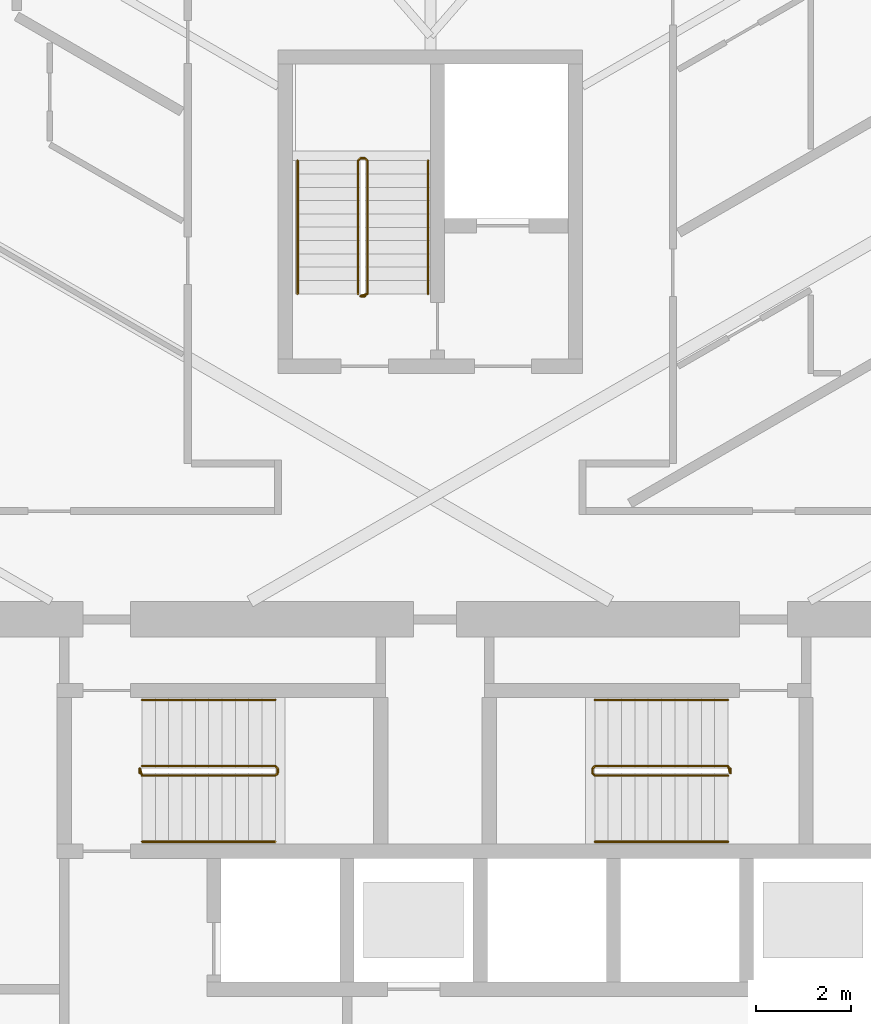
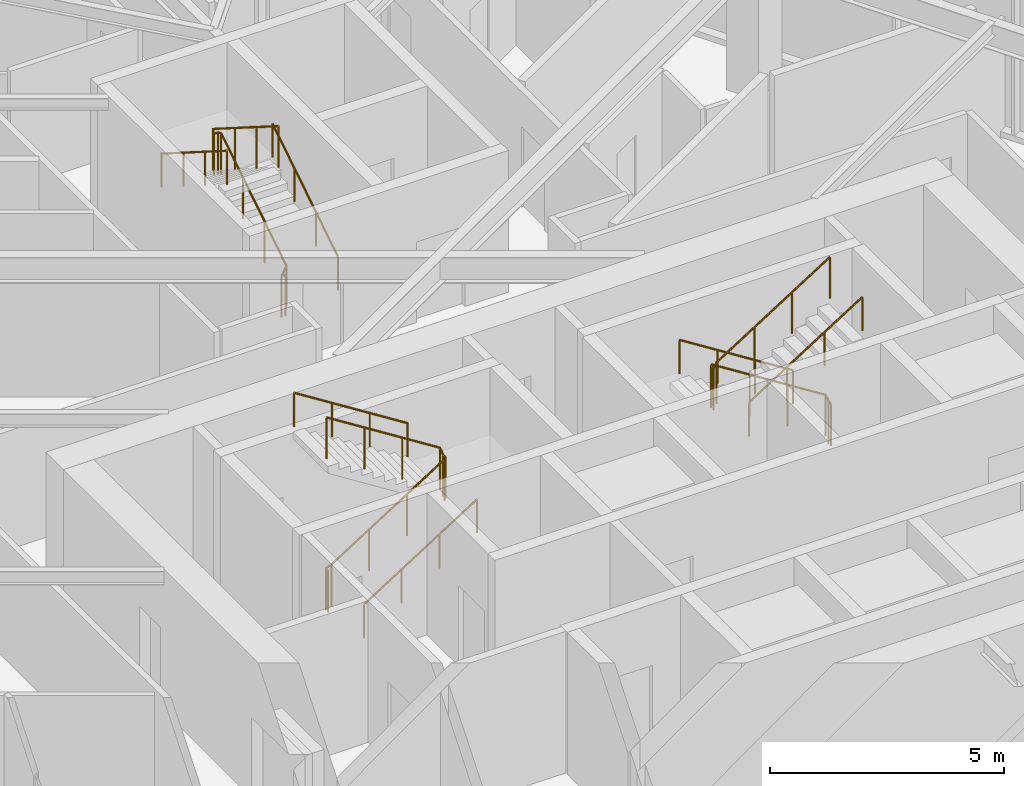
# One storey, part 18 of 19: 9 railings.
"""IFC4 building model written with IfcOpenShell, lengths in metres."""

from ifc_helpers import new_model, si_unit, direction, frame, origin, origin_2d, place, context, subcontext, project, spatial, circle, extrude, material, type_object, element, save


model = new_model("IFC4")

# Units and contexts
model_context = context("Model", 3, precision=1e-05, world=origin(), true_north=direction((0.0, 1.0)))
body_context = subcontext(model_context, "Body", "Model", "MODEL_VIEW")
ifc_project = project(units=[si_unit("LENGTHUNIT", "METRE"), si_unit("AREAUNIT", "SQUARE_METRE"), si_unit("VOLUMEUNIT", "CUBIC_METRE"), si_unit("PLANEANGLEUNIT", "RADIAN"), si_unit("MASSUNIT", "GRAM", prefix="KILO")], contexts=[model_context])

# Site, building, storey
site_placement = place(None, origin())
site = spatial("IfcSite", under=ifc_project, at=site_placement, CompositionType="ELEMENT")
building_placement = place(site_placement, origin())
building = spatial("IfcBuilding", under=site, at=building_placement, Name="Firuza Gate Tower and Library", CompositionType="ELEMENT")
storey_placement = place(building_placement, frame((0.0, 0.0, 183.10009765625)))
storey = spatial("IfcBuildingStorey", under=building, at=storey_placement, Name="L42", CompositionType="ELEMENT", Elevation=183.10009765625)

# Railings
ifc_material_1 = material(Name="Steel S355", Category="steel")
railing_type_1 = type_object("IfcRailingType", Name="Stair guard 1100", PredefinedType="GUARDRAIL", material=ifc_material_1)
railing_1_placement = place(storey_placement, frame((68.889892578125, 79.389892578125, 0.0)))
element("IfcRailing", 1, at=railing_1_placement, inside=storey, type_object=railing_type_1, Name="L42 ST1 stair guard 1", PredefinedType="GUARDRAIL", context=body_context, shape_type="SweptSolid", body=[
    extrude(circle(Radius=0.02392578125, at=origin_2d()), frame((0.0, 0.0, 1.076171875), z_axis=(0.0, 1.0, 0.0), x_axis=(-1.0, 0.0, 0.0)), (0.0, 0.0, 1.0), 0.10009765625),
    extrude(circle(Radius=0.02392578125, at=origin_2d()), frame((0.0, 0.10009765625, 1.076171875), z_axis=(0.210758951027, -0.631248760638, 0.74639511437), x_axis=(0.948528701346, 0.316691178788, 0.0)), (0.0, 0.0, 1.0), 0.237548828125),
    extrude(circle(Radius=0.02392578125, at=origin_2d()), frame((0.050048828125, -0.0498046875, 1.25341796875), z_axis=(0.844908973607, 0.0, 0.534910110503), x_axis=(0.0, 1.0, 0.0)), (0.0, 0.0, 1.0), 3.31396484375),
    extrude(circle(Radius=0.02392578125, at=origin_2d()), frame((2.85009765625, -0.0498046875, 3.02587890625), z_axis=(0.708833529934, 0.705375805398, 0.0), x_axis=(-0.705375805398, 0.708833529934, 0.0)), (0.0, 0.0, 1.0), 0.070556640625),
    extrude(circle(Radius=0.02392578125, at=origin_2d()), frame((2.900146484375, 0.0, 3.02587890625), z_axis=(0.0, 1.0, 0.0), x_axis=(-1.0, 0.0, 0.0)), (0.0, 0.0, 1.0), 0.10009765625),
    extrude(circle(Radius=0.02392578125, at=origin_2d()), frame((2.900146484375, 0.10009765625, 3.02587890625), z_axis=(-0.262233686654, 0.262233686654, 0.928691007369), x_axis=(-0.707106781187, -0.707106781187, 0.0)), (0.0, 0.0, 1.0), 0.19091796875),
    extrude(circle(Radius=0.02392578125, at=origin_2d()), frame((2.85009765625, 0.150146484375, 3.203125), z_axis=(-0.844908973607, 0.0, 0.534910110503), x_axis=(0.0, -1.0, 0.0)), (0.0, 0.0, 1.0), 3.31396484375),
    extrude(circle(Radius=0.02099609375, at=origin_2d()), origin(), (0.0, 0.0, 1.0), 1.052001953125),
    extrude(circle(Radius=0.02099609375, at=origin_2d()), frame((0.0, 0.10009765625, 0.0)), (0.0, 0.0, 1.0), 1.052001953125),
    extrude(circle(Radius=0.02099609375, at=origin_2d()), frame((0.050048828125, -0.0498046875, 0.17724609375)), (0.0, 0.0, 1.0), 1.052001953125),
    extrude(circle(Radius=0.02099609375, at=origin_2d()), frame((0.9833984375, -0.0498046875, 0.76806640625)), (0.0, 0.0, 1.0), 1.052001953125),
    extrude(circle(Radius=0.02099609375, at=origin_2d()), frame((1.916748046875, -0.0498046875, 1.359130859375)), (0.0, 0.0, 1.0), 1.052001953125),
    extrude(circle(Radius=0.02099609375, at=origin_2d()), frame((2.85009765625, -0.0498046875, 1.949951171875)), (0.0, 0.0, 1.0), 1.052001953125),
    extrude(circle(Radius=0.02099609375, at=origin_2d()), frame((2.900146484375, 0.0, 1.949951171875)), (0.0, 0.0, 1.0), 1.052001953125),
    extrude(circle(Radius=0.02099609375, at=origin_2d()), frame((2.900146484375, 0.10009765625, 1.949951171875)), (0.0, 0.0, 1.0), 1.052001953125),
    extrude(circle(Radius=0.02099609375, at=origin_2d()), frame((2.85009765625, 0.150146484375, 2.127197265625)), (0.0, 0.0, 1.0), 1.052001953125),
    extrude(circle(Radius=0.02099609375, at=origin_2d()), frame((1.916748046875, 0.150146484375, 2.718017578125)), (0.0, 0.0, 1.0), 1.052001953125),
    extrude(circle(Radius=0.02099609375, at=origin_2d()), frame((0.9833984375, 0.150146484375, 3.30908203125)), (0.0, 0.0, 1.0), 1.052001953125),
    extrude(circle(Radius=0.02099609375, at=origin_2d()), frame((0.050048828125, 0.150146484375, 3.89990234375)), (0.0, 0.0, 1.0), 1.052001953125),
])
railing_2_placement = place(storey_placement, frame((81.31005859375, 79.489990234375, 0.0)))
element("IfcRailing", 2, at=railing_2_placement, inside=storey, type_object=railing_type_1, Name="L42 ST2 stair guard 1", PredefinedType="GUARDRAIL", context=body_context, shape_type="SweptSolid", body=[
    extrude(circle(Radius=0.02392578125, at=origin_2d()), frame((0.0, 0.0, 1.076171875), z_axis=(0.0, -1.0, 0.0), x_axis=(1.0, 0.0, 0.0)), (0.0, 0.0, 1.0), 0.10009765625),
    extrude(circle(Radius=0.02392578125, at=origin_2d()), frame((0.0, -0.10009765625, 1.076171875), z_axis=(-0.210622194084, 0.631866582253, 0.74591079466), x_axis=(-0.948683298051, -0.316227766017, 0.0)), (0.0, 0.0, 1.0), 0.237548828125),
    extrude(circle(Radius=0.02392578125, at=origin_2d()), frame((-0.050048828125, 0.050048828125, 1.25341796875), z_axis=(-0.844908973607, 0.0, 0.534910110503), x_axis=(0.0, -1.0, 0.0)), (0.0, 0.0, 1.0), 3.31396484375),
    extrude(circle(Radius=0.02392578125, at=origin_2d()), frame((-2.85009765625, 0.050048828125, 3.02587890625), z_axis=(-0.707106781187, -0.707106781187, 0.0), x_axis=(0.707106781187, -0.707106781187, 0.0)), (0.0, 0.0, 1.0), 0.07080078125),
    extrude(circle(Radius=0.02392578125, at=origin_2d()), frame((-2.900146484375, 0.0, 3.02587890625), z_axis=(0.0, -1.0, 0.0), x_axis=(1.0, 0.0, 0.0)), (0.0, 0.0, 1.0), 0.10009765625),
    extrude(circle(Radius=0.02392578125, at=origin_2d()), frame((-2.900146484375, -0.10009765625, 3.02587890625), z_axis=(0.262321481514, -0.261041864531, 0.929001929653), x_axis=(0.705375805398, 0.708833529934, 0.0)), (0.0, 0.0, 1.0), 0.190673828125),
    extrude(circle(Radius=0.02392578125, at=origin_2d()), frame((-2.85009765625, -0.14990234375, 3.203125), z_axis=(0.844908973607, 0.0, 0.534910110503), x_axis=(0.0, 1.0, 0.0)), (0.0, 0.0, 1.0), 3.31396484375),
    extrude(circle(Radius=0.02099609375, at=origin_2d()), origin(), (0.0, 0.0, 1.0), 1.052001953125),
    extrude(circle(Radius=0.02099609375, at=origin_2d()), frame((0.0, -0.10009765625, 0.0)), (0.0, 0.0, 1.0), 1.052001953125),
    extrude(circle(Radius=0.02099609375, at=origin_2d()), frame((-0.050048828125, 0.050048828125, 0.17724609375)), (0.0, 0.0, 1.0), 1.052001953125),
    extrude(circle(Radius=0.02099609375, at=origin_2d()), frame((-0.9833984375, 0.050048828125, 0.76806640625)), (0.0, 0.0, 1.0), 1.052001953125),
    extrude(circle(Radius=0.02099609375, at=origin_2d()), frame((-1.916748046875, 0.050048828125, 1.359130859375)), (0.0, 0.0, 1.0), 1.052001953125),
    extrude(circle(Radius=0.02099609375, at=origin_2d()), frame((-2.85009765625, 0.050048828125, 1.949951171875)), (0.0, 0.0, 1.0), 1.052001953125),
    extrude(circle(Radius=0.02099609375, at=origin_2d()), frame((-2.900146484375, 0.0, 1.949951171875)), (0.0, 0.0, 1.0), 1.052001953125),
    extrude(circle(Radius=0.02099609375, at=origin_2d()), frame((-2.900146484375, -0.10009765625, 1.949951171875)), (0.0, 0.0, 1.0), 1.052001953125),
    extrude(circle(Radius=0.02099609375, at=origin_2d()), frame((-2.85009765625, -0.14990234375, 2.127197265625)), (0.0, 0.0, 1.0), 1.052001953125),
    extrude(circle(Radius=0.02099609375, at=origin_2d()), frame((-1.916748046875, -0.14990234375, 2.718017578125)), (0.0, 0.0, 1.0), 1.052001953125),
    extrude(circle(Radius=0.02099609375, at=origin_2d()), frame((-0.9833984375, -0.14990234375, 3.30908203125)), (0.0, 0.0, 1.0), 1.052001953125),
    extrude(circle(Radius=0.02099609375, at=origin_2d()), frame((-0.050048828125, -0.14990234375, 3.89990234375)), (0.0, 0.0, 1.0), 1.052001953125),
])
railing_3_placement = place(storey_placement, frame((73.6298828125, 89.419921875, 0.0)))
element("IfcRailing", 3, at=railing_3_placement, inside=storey, type_object=railing_type_1, Name="L42 ST3 stair guard 1", PredefinedType="GUARDRAIL", context=body_context, shape_type="SweptSolid", body=[
    extrude(circle(Radius=0.02392578125, at=origin_2d()), frame((0.0, 0.0, 1.076171875), z_axis=(-1.0, 0.0, 0.0), x_axis=(0.0, -1.0, 0.0)), (0.0, 0.0, 1.0), 0.099853515625),
    extrude(circle(Radius=0.02392578125, at=origin_2d()), frame((-0.099853515625, 0.0, 1.076171875), z_axis=(0.631248760638, 0.210758951027, 0.74639511437), x_axis=(-0.316691178788, 0.948528701346, 0.0)), (0.0, 0.0, 1.0), 0.237548828125),
    extrude(circle(Radius=0.02392578125, at=origin_2d()), frame((0.050048828125, 0.050048828125, 1.25341796875), z_axis=(0.0, 0.844908973607, 0.534910110503), x_axis=(-1.0, 0.0, 0.0)), (0.0, 0.0, 1.0), 3.31396484375),
    extrude(circle(Radius=0.02392578125, at=origin_2d()), frame((0.050048828125, 2.85009765625, 3.02587890625), z_axis=(-0.707106781187, 0.707106781187, 0.0), x_axis=(-0.707106781187, -0.707106781187, 0.0)), (0.0, 0.0, 1.0), 0.07080078125),
    extrude(circle(Radius=0.02392578125, at=origin_2d()), frame((0.0, 2.900146484375, 3.02587890625), z_axis=(-1.0, 0.0, 0.0), x_axis=(0.0, -1.0, 0.0)), (0.0, 0.0, 1.0), 0.099853515625),
    extrude(circle(Radius=0.02392578125, at=origin_2d()), frame((-0.099853515625, 2.900146484375, 3.02587890625), z_axis=(-0.262233686654, -0.262233686654, 0.928691007369), x_axis=(0.707106781187, -0.707106781187, 0.0)), (0.0, 0.0, 1.0), 0.19091796875),
    extrude(circle(Radius=0.02392578125, at=origin_2d()), frame((-0.14990234375, 2.85009765625, 3.203125), z_axis=(0.0, -0.844908973607, 0.534910110503), x_axis=(1.0, 0.0, 0.0)), (0.0, 0.0, 1.0), 3.31396484375),
    extrude(circle(Radius=0.02099609375, at=origin_2d()), origin(), (0.0, 0.0, 1.0), 1.052001953125),
    extrude(circle(Radius=0.02099609375, at=origin_2d()), frame((-0.099853515625, 0.0, 0.0)), (0.0, 0.0, 1.0), 1.052001953125),
    extrude(circle(Radius=0.02099609375, at=origin_2d()), frame((0.050048828125, 0.050048828125, 0.17724609375)), (0.0, 0.0, 1.0), 1.052001953125),
    extrude(circle(Radius=0.02099609375, at=origin_2d()), frame((0.050048828125, 0.9833984375, 0.76806640625)), (0.0, 0.0, 1.0), 1.052001953125),
    extrude(circle(Radius=0.02099609375, at=origin_2d()), frame((0.050048828125, 1.916748046875, 1.359130859375)), (0.0, 0.0, 1.0), 1.052001953125),
    extrude(circle(Radius=0.02099609375, at=origin_2d()), frame((0.050048828125, 2.85009765625, 1.949951171875)), (0.0, 0.0, 1.0), 1.052001953125),
    extrude(circle(Radius=0.02099609375, at=origin_2d()), frame((0.0, 2.900146484375, 1.949951171875)), (0.0, 0.0, 1.0), 1.052001953125),
    extrude(circle(Radius=0.02099609375, at=origin_2d()), frame((-0.099853515625, 2.900146484375, 1.949951171875)), (0.0, 0.0, 1.0), 1.052001953125),
    extrude(circle(Radius=0.02099609375, at=origin_2d()), frame((-0.14990234375, 2.85009765625, 2.127197265625)), (0.0, 0.0, 1.0), 1.052001953125),
    extrude(circle(Radius=0.02099609375, at=origin_2d()), frame((-0.14990234375, 1.916748046875, 2.718017578125)), (0.0, 0.0, 1.0), 1.052001953125),
    extrude(circle(Radius=0.02099609375, at=origin_2d()), frame((-0.14990234375, 0.9833984375, 3.30908203125)), (0.0, 0.0, 1.0), 1.052001953125),
    extrude(circle(Radius=0.02099609375, at=origin_2d()), frame((-0.14990234375, 0.050048828125, 3.89990234375)), (0.0, 0.0, 1.0), 1.052001953125),
])
ifc_material_2 = material(Name="Steel S355", Category="steel")
railing_type_2 = type_object("IfcRailingType", Name="Stair handrail 900", PredefinedType="HANDRAIL", material=ifc_material_2)
railing_4_placement = place(storey_placement, frame((68.93994140625, 77.949951171875, 0.17724609375)))
element("IfcRailing", 4, at=railing_4_placement, inside=storey, type_object=railing_type_2, Name="L42 ST1 stair handrail 1", PredefinedType="HANDRAIL", context=body_context, shape_type="SweptSolid", body=[
    extrude(circle(Radius=0.02392578125, at=origin_2d()), frame((0.0, 0.0, 0.8759765625), z_axis=(0.844908973607, 0.0, 0.534910110503), x_axis=(0.0, 1.0, 0.0)), (0.0, 0.0, 1.0), 3.31396484375),
    extrude(circle(Radius=0.02099609375, at=origin_2d()), origin(), (0.0, 0.0, 1.0), 0.851806640625),
    extrude(circle(Radius=0.02099609375, at=origin_2d()), frame((0.933349609375, 0.0, 0.5908203125)), (0.0, 0.0, 1.0), 0.851806640625),
    extrude(circle(Radius=0.02099609375, at=origin_2d()), frame((1.86669921875, 0.0, 1.181884765625)), (0.0, 0.0, 1.0), 0.851806640625),
    extrude(circle(Radius=0.02099609375, at=origin_2d()), frame((2.800048828125, 0.0, 1.772705078125)), (0.0, 0.0, 1.0), 0.851806640625),
])
for number, where, name in (
    (5, (71.739990234375, 80.929931640625, 2.127197265625), "L42 ST1 stair handrail 2"),
    (6, (81.260009765625, 80.929931640625, 0.17724609375), "L42 ST2 stair handrail 1"),
):
    element("IfcRailing", number, at=place(storey_placement, frame(where)), inside=storey, type_object=railing_type_2, Name=name, PredefinedType="HANDRAIL", context=body_context, shape_type="SweptSolid", body=[
        extrude(circle(Radius=0.02392578125, at=origin_2d()), frame((0.0, 0.0, 0.8759765625), z_axis=(-0.844908973607, 0.0, 0.534910110503), x_axis=(0.0, -1.0, 0.0)), (0.0, 0.0, 1.0), 3.31396484375),
        extrude(circle(Radius=0.02099609375, at=origin_2d()), origin(), (0.0, 0.0, 1.0), 0.851806640625),
        extrude(circle(Radius=0.02099609375, at=origin_2d()), frame((-0.933349609375, 0.0, 0.5908203125)), (0.0, 0.0, 1.0), 0.851806640625),
        extrude(circle(Radius=0.02099609375, at=origin_2d()), frame((-1.86669921875, 0.0, 1.181884765625)), (0.0, 0.0, 1.0), 0.851806640625),
        extrude(circle(Radius=0.02099609375, at=origin_2d()), frame((-2.800048828125, 0.0, 1.772705078125)), (0.0, 0.0, 1.0), 0.851806640625),
    ])
railing_5_placement = place(storey_placement, frame((78.4599609375, 77.949951171875, 2.127197265625)))
element("IfcRailing", 7, at=railing_5_placement, inside=storey, type_object=railing_type_2, Name="L42 ST2 stair handrail 2", PredefinedType="HANDRAIL", context=body_context, shape_type="SweptSolid", body=[
    extrude(circle(Radius=0.02392578125, at=origin_2d()), frame((0.0, 0.0, 0.8759765625), z_axis=(0.844908973607, 0.0, 0.534910110503), x_axis=(0.0, 1.0, 0.0)), (0.0, 0.0, 1.0), 3.31396484375),
    extrude(circle(Radius=0.02099609375, at=origin_2d()), origin(), (0.0, 0.0, 1.0), 0.851806640625),
    extrude(circle(Radius=0.02099609375, at=origin_2d()), frame((0.933349609375, 0.0, 0.5908203125)), (0.0, 0.0, 1.0), 0.851806640625),
    extrude(circle(Radius=0.02099609375, at=origin_2d()), frame((1.86669921875, 0.0, 1.181884765625)), (0.0, 0.0, 1.0), 0.851806640625),
    extrude(circle(Radius=0.02099609375, at=origin_2d()), frame((2.800048828125, 0.0, 1.772705078125)), (0.0, 0.0, 1.0), 0.851806640625),
])
railing_6_placement = place(storey_placement, frame((74.949951171875, 89.469970703125, 0.17724609375)))
element("IfcRailing", 8, at=railing_6_placement, inside=storey, type_object=railing_type_2, Name="L42 ST3 stair handrail 1", PredefinedType="HANDRAIL", context=body_context, shape_type="SweptSolid", body=[
    extrude(circle(Radius=0.02392578125, at=origin_2d()), frame((0.0, 0.0, 0.8759765625), z_axis=(0.0, 0.844908973607, 0.534910110503), x_axis=(-1.0, 0.0, 0.0)), (0.0, 0.0, 1.0), 3.31396484375),
    extrude(circle(Radius=0.02099609375, at=origin_2d()), origin(), (0.0, 0.0, 1.0), 0.851806640625),
    extrude(circle(Radius=0.02099609375, at=origin_2d()), frame((0.0, 0.933349609375, 0.5908203125)), (0.0, 0.0, 1.0), 0.851806640625),
    extrude(circle(Radius=0.02099609375, at=origin_2d()), frame((0.0, 1.86669921875, 1.181884765625)), (0.0, 0.0, 1.0), 0.851806640625),
    extrude(circle(Radius=0.02099609375, at=origin_2d()), frame((0.0, 2.800048828125, 1.772705078125)), (0.0, 0.0, 1.0), 0.851806640625),
])
railing_7_placement = place(storey_placement, frame((72.2099609375, 92.27001953125, 2.127197265625)))
element("IfcRailing", 9, at=railing_7_placement, inside=storey, type_object=railing_type_2, Name="L42 ST3 stair handrail 2", PredefinedType="HANDRAIL", context=body_context, shape_type="SweptSolid", body=[
    extrude(circle(Radius=0.02392578125, at=origin_2d()), frame((0.0, 0.0, 0.8759765625), z_axis=(0.0, -0.844908973607, 0.534910110503), x_axis=(1.0, 0.0, 0.0)), (0.0, 0.0, 1.0), 3.31396484375),
    extrude(circle(Radius=0.02099609375, at=origin_2d()), origin(), (0.0, 0.0, 1.0), 0.851806640625),
    extrude(circle(Radius=0.02099609375, at=origin_2d()), frame((0.0, -0.933349609375, 0.5908203125)), (0.0, 0.0, 1.0), 0.851806640625),
    extrude(circle(Radius=0.02099609375, at=origin_2d()), frame((0.0, -1.86669921875, 1.181884765625)), (0.0, 0.0, 1.0), 0.851806640625),
    extrude(circle(Radius=0.02099609375, at=origin_2d()), frame((0.0, -2.800048828125, 1.772705078125)), (0.0, 0.0, 1.0), 0.851806640625),
])

save(model, "model.ifc")
